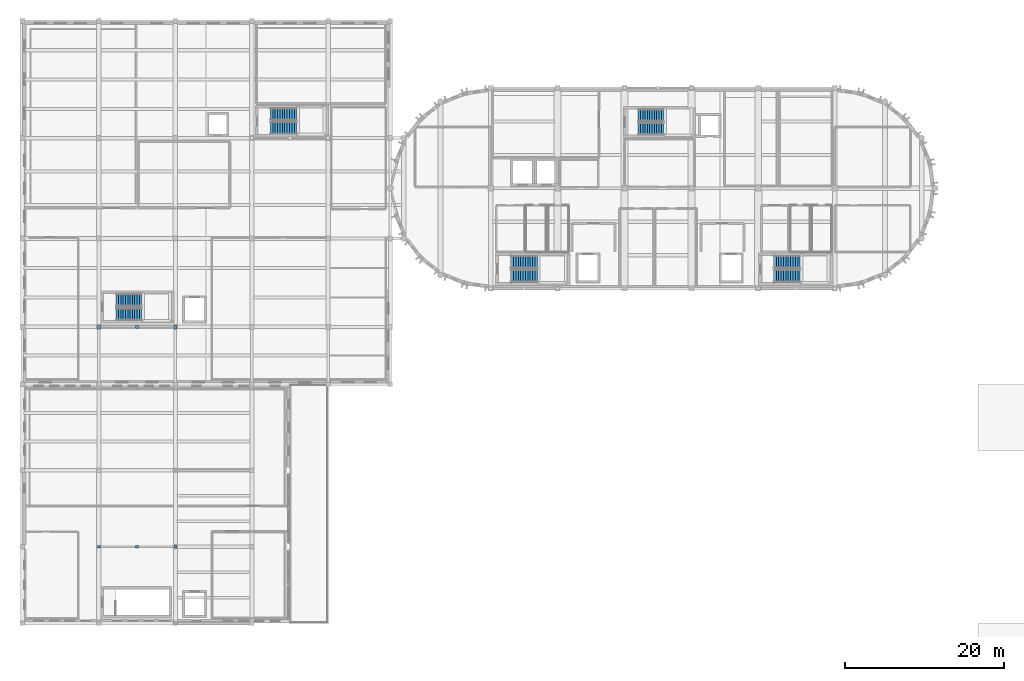
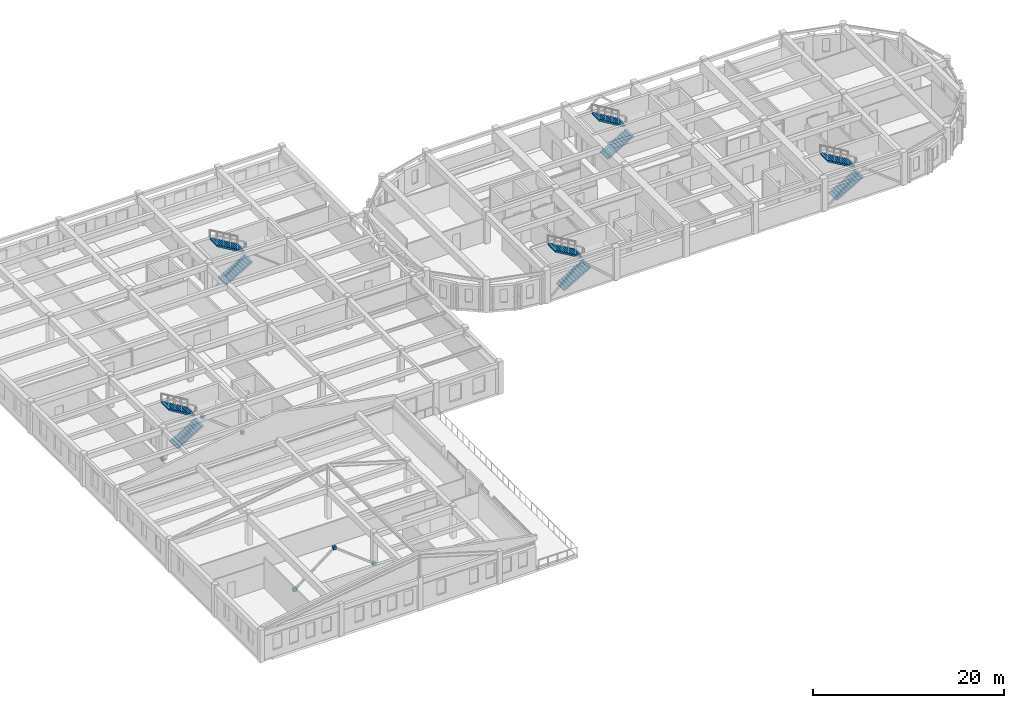
# One storey, part 19 of 31: 10 stair flights, 6 discrete accessories, 5 elements without a shape of their own.
"""IFC4 building model written with IfcOpenShell, lengths in metres."""

from ifc_helpers import new_model, si_unit, direction, frame, origin, origin_2d, place, context, subcontext, project, spatial, polyline, rectangle, outline, extrude, material, type_object, element, aggregate, save


model = new_model("IFC4")

# Units and contexts
model_context = context("Model", 3, precision=1e-05, world=origin(), true_north=direction((0.0, 1.0)))
body_context = subcontext(model_context, "Body", "Model", "MODEL_VIEW")
ifc_project = project(units=[si_unit("LENGTHUNIT", "METRE"), si_unit("AREAUNIT", "SQUARE_METRE"), si_unit("VOLUMEUNIT", "CUBIC_METRE"), si_unit("PLANEANGLEUNIT", "RADIAN"), si_unit("MASSUNIT", "GRAM", prefix="KILO")], contexts=[model_context])

# Site, building, storey
site_placement = place(None, origin())
site = spatial("IfcSite", under=ifc_project, at=site_placement, CompositionType="ELEMENT")
building_placement = place(site_placement, origin())
building = spatial("IfcBuilding", under=site, at=building_placement, Name="Tarnavel Promenade Courthouse", CompositionType="ELEMENT")
storey_placement = place(building_placement, frame((0.0, 0.0, 18.60009765625)))
storey = spatial("IfcBuildingStorey", under=building, at=storey_placement, Name="L05", CompositionType="ELEMENT", Elevation=18.60009765625)

# Stair, stair flights
ifc_material_1 = material(Name="Concrete C35/45", Category="concrete")
stair_type_1 = type_object("IfcStairType", Name="Concrete C35/45 Half-Turn Stair STR-03 (1560W-300G-24R)", PredefinedType="HALF_TURN_STAIR", material=ifc_material_1)
stair_1_placement = place(storey_placement, origin())
stair_1 = element("IfcStair", 1, at=stair_1_placement, inside=storey, type_object=stair_type_1, Name="L05 West Bar Firefighting Exit Stair", PredefinedType="HALF_TURN_STAIR")
stair_flight_type_1 = type_object("IfcStairFlightType", Name="Concrete C35/45 Stair Flight STF-03 (1560W-300G-24R)", PredefinedType="STRAIGHT", material=ifc_material_1)
stair_flight_1_placement = place(storey_placement, frame((61.360107421875, 80.780029296875, 0.0), z_axis=(0.0, 0.0, 1.0), x_axis=(1.0, 0.0, 0.0)))
stair_flight_1 = element("IfcStairFlight", 2, at=stair_flight_1_placement, type_object=stair_flight_type_1, Name="ST-01 flight 1", NumberOfRisers=12, NumberOfTreads=11, PredefinedType="STRAIGHT", RiserHeight=0.175, TreadLength=0.3, context=body_context, shape_type="SweptSolid", body=[
    extrude(outline(polyline([(0.0, 0.0), (0.0, 0.175048828125), (0.300048828125, 0.175048828125), (0.300048828125, 0.35009765625), (0.60009765625, 0.35009765625), (0.60009765625, 0.52490234375), (0.89990234375, 0.52490234375), (0.89990234375, 0.699951171875), (1.199951171875, 0.699951171875), (1.199951171875, 0.875), (1.5, 0.875), (1.5, 1.050048828125), (1.800048828125, 1.050048828125), (1.800048828125, 1.22509765625), (2.10009765625, 1.22509765625), (2.10009765625, 1.39990234375), (2.39990234375, 1.39990234375), (2.39990234375, 1.574951171875), (2.699951171875, 1.574951171875), (2.699951171875, 1.75), (3.0, 1.75), (3.0, 1.925048828125), (3.300048828125, 1.925048828125), (3.300048828125, 2.10009765625), (3.300048828125, 1.75146484375), (0.297607421875, 0.0), (0.0, 0.0)])), frame((0.0, 0.780029296875, 0.0), z_axis=(0.0, -1.0, 0.0), x_axis=(1.0, 0.0, 0.0)), (0.0, 0.0, 1.0), 1.56005859375),
])
stair_flight_2_placement = place(storey_placement, frame((64.659912109375, 82.5400390625, 2.099853515625), z_axis=(0.0, 0.0, 1.0), x_axis=(-1.0, 0.0, 0.0)))
stair_flight_2 = element("IfcStairFlight", 3, at=stair_flight_2_placement, type_object=stair_flight_type_1, Name="ST-01 flight 2", NumberOfRisers=12, NumberOfTreads=11, PredefinedType="STRAIGHT", RiserHeight=0.175, TreadLength=0.3, context=body_context, shape_type="SweptSolid", body=[
    extrude(outline(polyline([(0.0, 0.0), (0.0, 0.175048828125), (0.300048828125, 0.175048828125), (0.300048828125, 0.35009765625), (0.60009765625, 0.35009765625), (0.60009765625, 0.52490234375), (0.89990234375, 0.52490234375), (0.89990234375, 0.699951171875), (1.199951171875, 0.699951171875), (1.199951171875, 0.875), (1.5, 0.875), (1.5, 1.050048828125), (1.800048828125, 1.050048828125), (1.800048828125, 1.22509765625), (2.10009765625, 1.22509765625), (2.10009765625, 1.39990234375), (2.39990234375, 1.39990234375), (2.39990234375, 1.574951171875), (2.699951171875, 1.574951171875), (2.699951171875, 1.75), (3.0, 1.75), (3.0, 1.925048828125), (3.300048828125, 1.925048828125), (3.300048828125, 2.10009765625), (3.300048828125, 1.75146484375), (0.297607421875, 0.0), (0.0, 0.0)])), frame((0.0, 0.780029296875, 0.0), z_axis=(0.0, -1.0, 0.0), x_axis=(1.0, 0.0, 0.0)), (0.0, 0.0, 1.0), 1.56005859375),
])
aggregate(stair_1, [stair_flight_1, stair_flight_2])

stair_2_placement = place(storey_placement, origin())
stair_2 = element("IfcStair", 4, at=stair_2_placement, inside=storey, type_object=stair_type_1, Name="L05 East Bar Firefighting Exit Stair", PredefinedType="HALF_TURN_STAIR")
stair_flight_3_placement = place(storey_placement, frame((94.360107421875, 80.780029296875, 0.0), z_axis=(0.0, 0.0, 1.0), x_axis=(1.0, 0.0, 0.0)))
stair_flight_3 = element("IfcStairFlight", 5, at=stair_flight_3_placement, type_object=stair_flight_type_1, Name="ST-02 flight 1", NumberOfRisers=12, NumberOfTreads=11, PredefinedType="STRAIGHT", RiserHeight=0.175, TreadLength=0.3, context=body_context, shape_type="SweptSolid", body=[
    extrude(outline(polyline([(0.0, 0.0), (0.0, 0.175048828125), (0.300048828125, 0.175048828125), (0.300048828125, 0.35009765625), (0.60009765625, 0.35009765625), (0.60009765625, 0.52490234375), (0.89990234375, 0.52490234375), (0.89990234375, 0.699951171875), (1.199951171875, 0.699951171875), (1.199951171875, 0.875), (1.5, 0.875), (1.5, 1.050048828125), (1.800048828125, 1.050048828125), (1.800048828125, 1.22509765625), (2.10009765625, 1.22509765625), (2.10009765625, 1.39990234375), (2.39990234375, 1.39990234375), (2.39990234375, 1.574951171875), (2.699951171875, 1.574951171875), (2.699951171875, 1.75), (3.0, 1.75), (3.0, 1.925048828125), (3.300048828125, 1.925048828125), (3.300048828125, 2.10009765625), (3.300048828125, 1.75146484375), (0.297607421875, 0.0), (0.0, 0.0)])), frame((0.0, 0.780029296875, 0.0), z_axis=(0.0, -1.0, 0.0), x_axis=(1.0, 0.0, 0.0)), (0.0, 0.0, 1.0), 1.56005859375),
])
stair_flight_4_placement = place(storey_placement, frame((97.659912109375, 82.5400390625, 2.099853515625), z_axis=(0.0, 0.0, 1.0), x_axis=(-1.0, 0.0, 0.0)))
stair_flight_4 = element("IfcStairFlight", 6, at=stair_flight_4_placement, type_object=stair_flight_type_1, Name="ST-02 flight 2", NumberOfRisers=12, NumberOfTreads=11, PredefinedType="STRAIGHT", RiserHeight=0.175, TreadLength=0.3, context=body_context, shape_type="SweptSolid", body=[
    extrude(outline(polyline([(0.0, 0.0), (0.0, 0.175048828125), (0.300048828125, 0.175048828125), (0.300048828125, 0.35009765625), (0.60009765625, 0.35009765625), (0.60009765625, 0.52490234375), (0.89990234375, 0.52490234375), (0.89990234375, 0.699951171875), (1.199951171875, 0.699951171875), (1.199951171875, 0.875), (1.5, 0.875), (1.5, 1.050048828125), (1.800048828125, 1.050048828125), (1.800048828125, 1.22509765625), (2.10009765625, 1.22509765625), (2.10009765625, 1.39990234375), (2.39990234375, 1.39990234375), (2.39990234375, 1.574951171875), (2.699951171875, 1.574951171875), (2.699951171875, 1.75), (3.0, 1.75), (3.0, 1.925048828125), (3.300048828125, 1.925048828125), (3.300048828125, 2.10009765625), (3.300048828125, 1.75146484375), (0.297607421875, 0.0), (0.0, 0.0)])), frame((0.0, 0.780029296875, 0.0), z_axis=(0.0, -1.0, 0.0), x_axis=(1.0, 0.0, 0.0)), (0.0, 0.0, 1.0), 1.56005859375),
])
aggregate(stair_2, [stair_flight_3, stair_flight_4])

stair_type_2 = type_object("IfcStairType", Name="Concrete C35/45 Half-Turn Stair STR-06 (1520W-290G-24R)", PredefinedType="HALF_TURN_STAIR", material=ifc_material_1)
stair_3_placement = place(storey_placement, origin())
stair_3 = element("IfcStair", 7, at=stair_3_placement, inside=storey, type_object=stair_type_2, Name="L05 Central Judicial Chambers Exit Stair", PredefinedType="HALF_TURN_STAIR")
stair_flight_type_2 = type_object("IfcStairFlightType", Name="Concrete C35/45 Stair Flight STF-06 (1520W-290G-24R)", PredefinedType="STRAIGHT", material=ifc_material_1)
stair_flight_5_placement = place(storey_placement, frame((77.320068359375, 99.260009765625, 0.0), z_axis=(0.0, 0.0, 1.0), x_axis=(1.0, 0.0, 0.0)))
stair_flight_5 = element("IfcStairFlight", 8, at=stair_flight_5_placement, type_object=stair_flight_type_2, Name="ST-03 flight 1", NumberOfRisers=12, NumberOfTreads=11, PredefinedType="STRAIGHT", RiserHeight=0.175, TreadLength=0.29, context=body_context, shape_type="SweptSolid", body=[
    extrude(outline(polyline([(0.0, 0.0), (0.0, 0.175048828125), (0.2900390625, 0.175048828125), (0.2900390625, 0.35009765625), (0.580078125, 0.35009765625), (0.580078125, 0.52490234375), (0.8701171875, 0.52490234375), (0.8701171875, 0.699951171875), (1.159912109375, 0.699951171875), (1.159912109375, 0.875), (1.449951171875, 0.875), (1.449951171875, 1.050048828125), (1.739990234375, 1.050048828125), (1.739990234375, 1.22509765625), (2.030029296875, 1.22509765625), (2.030029296875, 1.39990234375), (2.320068359375, 1.39990234375), (2.320068359375, 1.574951171875), (2.610107421875, 1.574951171875), (2.610107421875, 1.75), (2.89990234375, 1.75), (2.89990234375, 1.925048828125), (3.18994140625, 1.925048828125), (3.18994140625, 2.10009765625), (3.18994140625, 1.75), (0.2900390625, 0.0), (0.0, 0.0)])), frame((0.0, 0.760009765625, 0.0), z_axis=(0.0, -1.0, 0.0), x_axis=(1.0, 0.0, 0.0)), (0.0, 0.0, 1.0), 1.52001953125),
])
stair_flight_6_placement = place(storey_placement, frame((80.510009765625, 100.97998046875, 2.099853515625), z_axis=(0.0, 0.0, 1.0), x_axis=(-1.0, 0.0, 0.0)))
stair_flight_6 = element("IfcStairFlight", 9, at=stair_flight_6_placement, type_object=stair_flight_type_2, Name="ST-03 flight 2", NumberOfRisers=12, NumberOfTreads=11, PredefinedType="STRAIGHT", RiserHeight=0.175, TreadLength=0.29, context=body_context, shape_type="SweptSolid", body=[
    extrude(outline(polyline([(0.0, 0.0), (0.0, 0.175048828125), (0.2900390625, 0.175048828125), (0.2900390625, 0.35009765625), (0.580078125, 0.35009765625), (0.580078125, 0.52490234375), (0.8701171875, 0.52490234375), (0.8701171875, 0.699951171875), (1.159912109375, 0.699951171875), (1.159912109375, 0.875), (1.449951171875, 0.875), (1.449951171875, 1.050048828125), (1.739990234375, 1.050048828125), (1.739990234375, 1.22509765625), (2.030029296875, 1.22509765625), (2.030029296875, 1.39990234375), (2.320068359375, 1.39990234375), (2.320068359375, 1.574951171875), (2.610107421875, 1.574951171875), (2.610107421875, 1.75), (2.89990234375, 1.75), (2.89990234375, 1.925048828125), (3.18994140625, 1.925048828125), (3.18994140625, 2.10009765625), (3.18994140625, 1.75), (0.2900390625, 0.0), (0.0, 0.0)])), frame((0.0, 0.760009765625, 0.0), z_axis=(0.0, -1.0, 0.0), x_axis=(1.0, 0.0, 0.0)), (0.0, 0.0, 1.0), 1.52001953125),
])
aggregate(stair_3, [stair_flight_5, stair_flight_6])

stair_type_3 = type_object("IfcStairType", Name="Concrete C35/45 Half-Turn Stair STR-09 (1580W-290G-24R)", PredefinedType="HALF_TURN_STAIR", material=ifc_material_1)
stair_4_placement = place(storey_placement, origin())
stair_4 = element("IfcStair", 10, at=stair_4_placement, inside=storey, type_object=stair_type_3, Name="L05 Trial Courts West Exit Stair", PredefinedType="HALF_TURN_STAIR")
stair_flight_type_3 = type_object("IfcStairFlightType", Name="Concrete C35/45 Stair Flight STF-09 (1580W-290G-24R)", PredefinedType="STRAIGHT", material=ifc_material_1)
stair_flight_7_placement = place(storey_placement, frame((11.780029296875, 75.989990234375, 0.0), z_axis=(0.0, 0.0, 1.0), x_axis=(1.0, 0.0, 0.0)))
stair_flight_7 = element("IfcStairFlight", 11, at=stair_flight_7_placement, type_object=stair_flight_type_3, Name="ST-04 flight 1", NumberOfRisers=12, NumberOfTreads=11, PredefinedType="STRAIGHT", RiserHeight=0.175, TreadLength=0.29, context=body_context, shape_type="SweptSolid", body=[
    extrude(outline(polyline([(0.0, 0.0), (0.0, 0.175048828125), (0.2900390625, 0.175048828125), (0.2900390625, 0.35009765625), (0.580078125, 0.35009765625), (0.580078125, 0.52490234375), (0.8701171875, 0.52490234375), (0.8701171875, 0.699951171875), (1.159912109375, 0.699951171875), (1.159912109375, 0.875), (1.449951171875, 0.875), (1.449951171875, 1.050048828125), (1.739990234375, 1.050048828125), (1.739990234375, 1.22509765625), (2.030029296875, 1.22509765625), (2.030029296875, 1.39990234375), (2.320068359375, 1.39990234375), (2.320068359375, 1.574951171875), (2.610107421875, 1.574951171875), (2.610107421875, 1.75), (2.89990234375, 1.75), (2.89990234375, 1.925048828125), (3.18994140625, 1.925048828125), (3.18994140625, 2.10009765625), (3.18994140625, 1.75), (0.2900390625, 0.0), (0.0, 0.0)])), frame((0.0, 0.7900390625, 0.0), z_axis=(0.0, -1.0, 0.0), x_axis=(1.0, 0.0, 0.0)), (0.0, 0.0, 1.0), 1.580078125),
])
stair_flight_8_placement = place(storey_placement, frame((14.969970703125, 77.77001953125, 2.099853515625), z_axis=(0.0, 0.0, 1.0), x_axis=(-1.0, 0.0, 0.0)))
stair_flight_8 = element("IfcStairFlight", 12, at=stair_flight_8_placement, type_object=stair_flight_type_3, Name="ST-04 flight 2", NumberOfRisers=12, NumberOfTreads=11, PredefinedType="STRAIGHT", RiserHeight=0.175, TreadLength=0.29, context=body_context, shape_type="SweptSolid", body=[
    extrude(outline(polyline([(0.0, 0.0), (0.0, 0.175048828125), (0.2900390625, 0.175048828125), (0.2900390625, 0.35009765625), (0.580078125, 0.35009765625), (0.580078125, 0.52490234375), (0.8701171875, 0.52490234375), (0.8701171875, 0.699951171875), (1.159912109375, 0.699951171875), (1.159912109375, 0.875), (1.449951171875, 0.875), (1.449951171875, 1.050048828125), (1.739990234375, 1.050048828125), (1.739990234375, 1.22509765625), (2.030029296875, 1.22509765625), (2.030029296875, 1.39990234375), (2.320068359375, 1.39990234375), (2.320068359375, 1.574951171875), (2.610107421875, 1.574951171875), (2.610107421875, 1.75), (2.89990234375, 1.75), (2.89990234375, 1.925048828125), (3.18994140625, 1.925048828125), (3.18994140625, 2.10009765625), (3.18994140625, 1.75), (0.2900390625, 0.0), (0.0, 0.0)])), frame((0.0, 0.7900390625, 0.0), z_axis=(0.0, -1.0, 0.0), x_axis=(1.0, 0.0, 0.0)), (0.0, 0.0, 1.0), 1.580078125),
])
aggregate(stair_4, [stair_flight_7, stair_flight_8])

stair_type_4 = type_object("IfcStairType", Name="Concrete C35/45 Half-Turn Stair STR-12 (1540W-300G-24R)", PredefinedType="HALF_TURN_STAIR", material=ifc_material_1)
stair_5_placement = place(storey_placement, origin())
stair_5 = element("IfcStair", 13, at=stair_5_placement, inside=storey, type_object=stair_type_4, Name="L05 Trial Courts North Exit Stair", PredefinedType="HALF_TURN_STAIR")
stair_flight_type_4 = type_object("IfcStairFlightType", Name="Concrete C35/45 Stair Flight STF-12 (1540W-300G-24R)", PredefinedType="STRAIGHT", material=ifc_material_1)
stair_flight_9_placement = place(storey_placement, frame((31.139892578125, 99.3701171875, 0.0), z_axis=(0.0, 0.0, 1.0), x_axis=(1.0, 0.0, 0.0)))
stair_flight_9 = element("IfcStairFlight", 14, at=stair_flight_9_placement, type_object=stair_flight_type_4, Name="ST-07 flight 1", NumberOfRisers=12, NumberOfTreads=11, PredefinedType="STRAIGHT", RiserHeight=0.175, TreadLength=0.3, context=body_context, shape_type="SweptSolid", body=[
    extrude(outline(polyline([(0.0, 0.0), (0.0, 0.175048828125), (0.300048828125, 0.175048828125), (0.300048828125, 0.35009765625), (0.60009765625, 0.35009765625), (0.60009765625, 0.52490234375), (0.89990234375, 0.52490234375), (0.89990234375, 0.699951171875), (1.199951171875, 0.699951171875), (1.199951171875, 0.875), (1.5, 0.875), (1.5, 1.050048828125), (1.800048828125, 1.050048828125), (1.800048828125, 1.22509765625), (2.10009765625, 1.22509765625), (2.10009765625, 1.39990234375), (2.39990234375, 1.39990234375), (2.39990234375, 1.574951171875), (2.699951171875, 1.574951171875), (2.699951171875, 1.75), (3.0, 1.75), (3.0, 1.925048828125), (3.300048828125, 1.925048828125), (3.300048828125, 2.10009765625), (3.300048828125, 1.75146484375), (0.297607421875, 0.0), (0.0, 0.0)])), frame((0.0, 0.77001953125, 0.0), z_axis=(0.0, -1.0, 0.0), x_axis=(1.0, 0.0, 0.0)), (0.0, 0.0, 1.0), 1.5400390625),
])
stair_flight_10_placement = place(storey_placement, frame((34.43994140625, 101.110107421875, 2.099853515625), z_axis=(0.0, 0.0, 1.0), x_axis=(-1.0, 0.0, 0.0)))
stair_flight_10 = element("IfcStairFlight", 15, at=stair_flight_10_placement, type_object=stair_flight_type_4, Name="ST-07 flight 2", NumberOfRisers=12, NumberOfTreads=11, PredefinedType="STRAIGHT", RiserHeight=0.175, TreadLength=0.3, context=body_context, shape_type="SweptSolid", body=[
    extrude(outline(polyline([(0.0, 0.0), (0.0, 0.175048828125), (0.300048828125, 0.175048828125), (0.300048828125, 0.35009765625), (0.60009765625, 0.35009765625), (0.60009765625, 0.52490234375), (0.89990234375, 0.52490234375), (0.89990234375, 0.699951171875), (1.199951171875, 0.699951171875), (1.199951171875, 0.875), (1.5, 0.875), (1.5, 1.050048828125), (1.800048828125, 1.050048828125), (1.800048828125, 1.22509765625), (2.10009765625, 1.22509765625), (2.10009765625, 1.39990234375), (2.39990234375, 1.39990234375), (2.39990234375, 1.574951171875), (2.699951171875, 1.574951171875), (2.699951171875, 1.75), (3.0, 1.75), (3.0, 1.925048828125), (3.300048828125, 1.925048828125), (3.300048828125, 2.10009765625), (3.300048828125, 1.75146484375), (0.297607421875, 0.0), (0.0, 0.0)])), frame((0.0, 0.77001953125, 0.0), z_axis=(0.0, -1.0, 0.0), x_axis=(1.0, 0.0, 0.0)), (0.0, 0.0, 1.0), 1.5400390625),
])
aggregate(stair_5, [stair_flight_9, stair_flight_10])

# Discrete accessories
ifc_material_2 = material(Name="Steel S355J2", Category="steel")
discrete_accessory_type = type_object("IfcDiscreteAccessoryType", Name="Steel S355J2 Structural Connection Bracket", PredefinedType="BRACKET", material=ifc_material_2)
for number, where, z_axis, x_axis, name in (
    (16, (9.60009765625, 74.39990234375, -0.18994140625), (0.0, 0.0, 1.0), (1.0, 0.0, 0.0), "L05 V2 Chevron Brace Gusset Node 033-L"),
    (17, (14.39990234375, 74.39990234375, 3.514892578125), (0.0, 0.0, 1.0), (1.0, 0.0, 0.0), "L05 V2 Chevron Brace Gusset Node 033-M"),
    (18, (19.199951171875, 74.39990234375, -0.18994140625), (0.0, 0.0, 1.0), (1.0, 0.0, 0.0), "L05 V2 Chevron Brace Gusset Node 033-R"),
    (19, (9.60009765625, 46.800048828125, -0.18994140625), (0.0, 0.0, 1.0), (1.0, 0.0, 0.0), "L05 V3 Chevron Brace Gusset Node 047-L"),
    (20, (14.39990234375, 46.800048828125, 3.514892578125), (0.0, 0.0, 1.0), (1.0, 0.0, 0.0), "L05 V3 Chevron Brace Gusset Node 047-M"),
    (21, (19.199951171875, 46.800048828125, -0.18994140625), (0.0, 0.0, 1.0), (1.0, 0.0, 0.0), "L05 V3 Chevron Brace Gusset Node 047-R"),
):
    element("IfcDiscreteAccessory", number, at=place(storey_placement, frame(where, z_axis=z_axis, x_axis=x_axis)), inside=storey, type_object=discrete_accessory_type, Name=name, PredefinedType="BRACKET", context=body_context, shape_type="SweptSolid", body=[
        extrude(rectangle(XDim=0.3798828125, YDim=0.360107421875, at=origin_2d()), origin(), (0.0, 0.0, 1.0), 0.3798828125),
    ])

save(model, "model.ifc")
